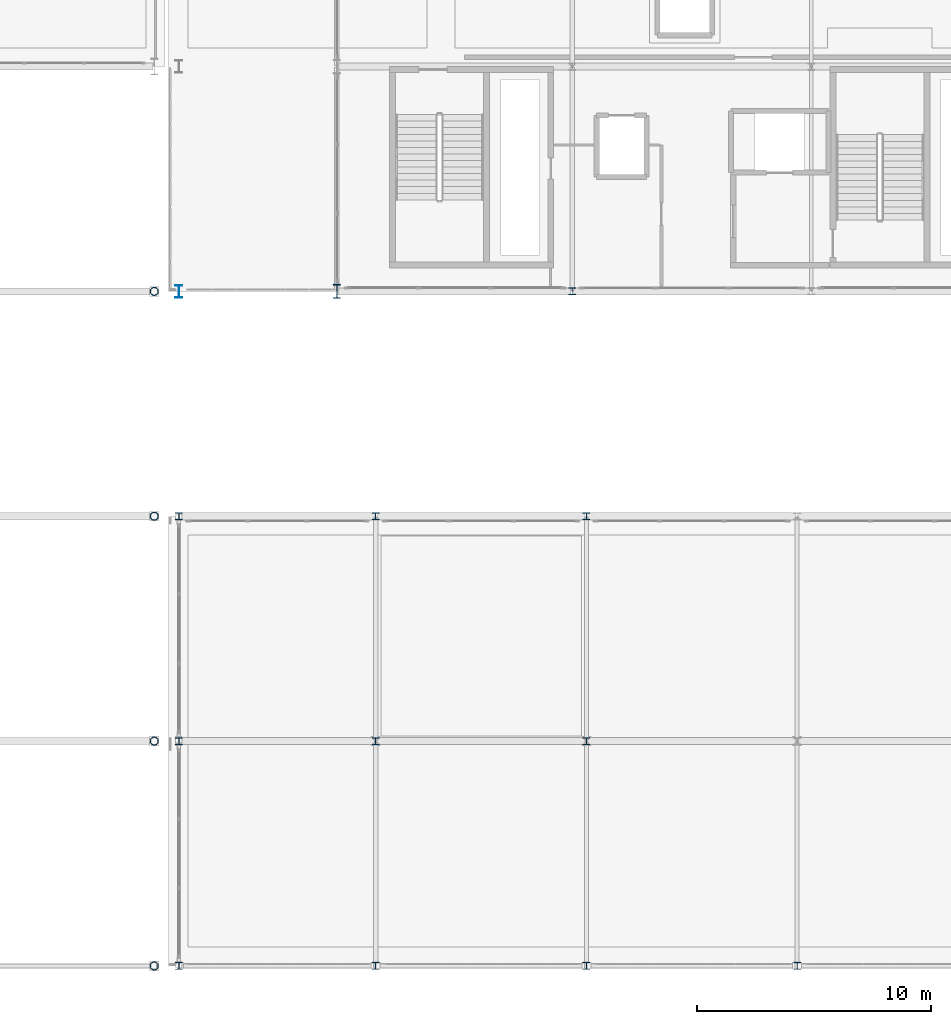
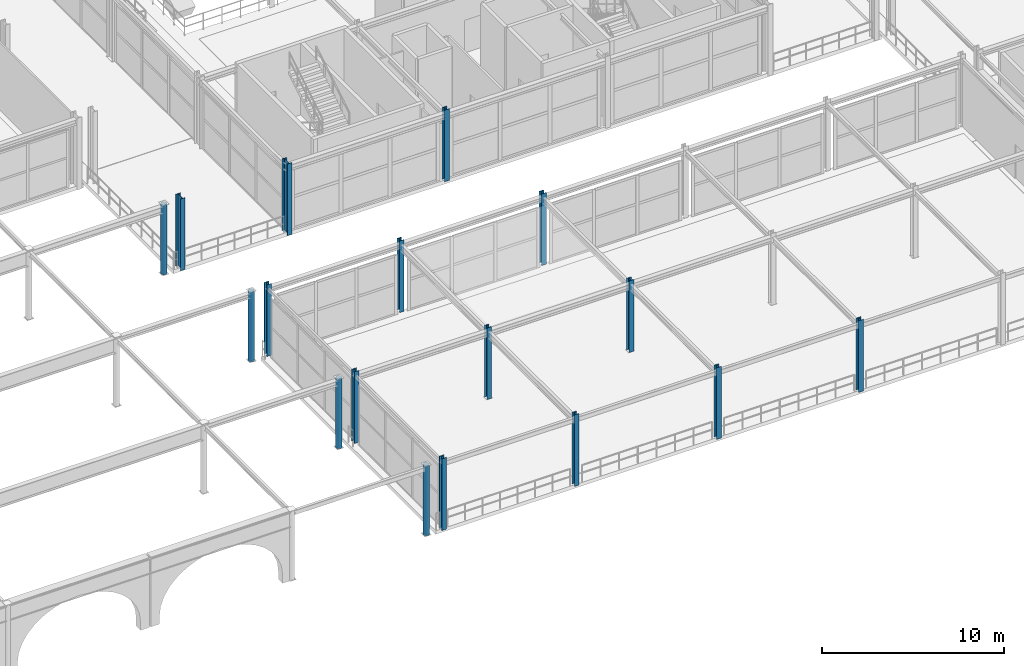
# One storey, part 5 of 125: 17 columns.
"""IFC4 building model written with IfcOpenShell, lengths in metres."""

from ifc_helpers import new_model, si_unit, direction, frame, origin, origin_2d, place, context, subcontext, project, spatial, hollow_circle, i_section, extrude, material, material_profile, profile_set, type_object, element, save


model = new_model("IFC4")

# Units and contexts
model_context = context("Model", 3, precision=1e-05, world=origin(), true_north=direction((0.0, 1.0)))
body_context = subcontext(model_context, "Body", "Model", "MODEL_VIEW")
ifc_project = project(units=[si_unit("LENGTHUNIT", "METRE"), si_unit("AREAUNIT", "SQUARE_METRE"), si_unit("VOLUMEUNIT", "CUBIC_METRE"), si_unit("PLANEANGLEUNIT", "RADIAN"), si_unit("MASSUNIT", "GRAM", prefix="KILO")], contexts=[model_context])

# Site, building, storey
site_placement = place(None, origin())
site = spatial("IfcSite", under=ifc_project, at=site_placement, CompositionType="ELEMENT")
building_placement = place(site_placement, origin())
building = spatial("IfcBuilding", under=site, at=building_placement, Name="Myrtia Square Station", CompositionType="ELEMENT")
storey_placement = place(building_placement, frame((0.0, 0.0, 6.0)))
storey = spatial("IfcBuildingStorey", under=building, at=storey_placement, Name="L01", CompositionType="ELEMENT", Elevation=6.0)

# Columns
ifc_material = material(Name="Steel S355", Category="steel")
ifc_material_profile_1 = material_profile(ifc_material, hollow_circle(Radius=0.177734375, WallThickness=0.02001953125, at=origin_2d()), Name="CHS 355.6x20")
ifc_profile_set_1 = profile_set([ifc_material_profile_1], Name="Steel S355")
column_type_1 = type_object("IfcColumnType", Name="COL-CHS355", PredefinedType="COLUMN", material=ifc_profile_set_1)
for number, where, z_axis, x_axis, name in (
    (1, (71.550048828125, 0.0, 0.0), (0.0, 0.0, 1.0), (1.0, 0.0, 0.0), "Column L01-0201"),
    (2, (71.550048828125, 9.60009765625, 0.0), (0.0, 0.0, 1.0), (1.0, 0.0, 0.0), "Column L01-0204"),
    (3, (71.550048828125, 19.199951171875, 0.0), (0.0, 0.0, 1.0), (1.0, 0.0, 0.0), "Column L01-0207"),
    (4, (71.550048828125, 28.800048828125, 0.0), (0.0, 0.0, 1.0), (1.0, 0.0, 0.0), "Column L01-0210"),
):
    element("IfcColumn", number, at=place(storey_placement, frame(where, z_axis=z_axis, x_axis=x_axis)), inside=storey, type_object=column_type_1, Name=name, PredefinedType="COLUMN", context=body_context, shape_type="SweptSolid", body=[
        extrude(hollow_circle(Radius=0.177734375, WallThickness=0.02001953125, at=origin_2d()), origin(), (0.0, 0.0, 1.0), 4.679931640625),
    ])
ifc_material_profile_2 = material_profile(ifc_material, i_section(OverallWidth=0.300048828125, OverallDepth=0.5400390625, WebThickness=0.012451171875, FlangeThickness=0.02392578125, FilletRadius=0.027099609375, at=origin_2d()), Name="HEA 550")
ifc_profile_set_2 = profile_set([ifc_material_profile_2], Name="Steel S355")
column_type_2 = type_object("IfcColumnType", Name="COL-HEA550", PredefinedType="COLUMN", material=ifc_profile_set_2)
column_1_placement = place(storey_placement, frame((72.60009765625, 28.800048828125, 0.0), z_axis=(0.0, 0.0, 1.0), x_axis=(1.0, 0.0, 0.0)))
element("IfcColumn", 5, at=column_1_placement, inside=storey, type_object=column_type_2, Name="Column L01-0243", PredefinedType="COLUMN", context=body_context, shape_type="SweptSolid", body=[
    extrude(i_section(OverallWidth=0.300048828125, OverallDepth=0.5400390625, WebThickness=0.012451171875, FlangeThickness=0.02392578125, FilletRadius=0.027099609375, at=origin_2d()), origin(), (0.0, 0.0, 1.0), 4.800048828125),
])
ifc_material_profile_3 = material_profile(ifc_material, i_section(OverallWidth=0.300048828125, OverallDepth=0.300048828125, WebThickness=0.010986328125, FlangeThickness=0.01904296875, FilletRadius=0.027099609375, at=origin_2d()), Name="HEB 300")
ifc_profile_set_3 = profile_set([ifc_material_profile_3], Name="Steel S355")
column_type_3 = type_object("IfcColumnType", Name="COL-HEB300", PredefinedType="COLUMN", material=ifc_profile_set_3)
for number, where, z_axis, x_axis, name in (
    (6, (89.39990234375, 28.800048828125, 0.0), (0.0, 0.0, 1.0), (1.0, 0.0, 0.0), "Column L01-0419"),
    (7, (72.60009765625, 0.0, 0.0), (0.0, 0.0, 1.0), (1.0, 0.0, 0.0), "Column L01-0507"),
    (8, (72.60009765625, 9.60009765625, 0.0), (0.0, 0.0, 1.0), (1.0, 0.0, 0.0), "Column L01-0510"),
    (9, (72.60009765625, 19.199951171875, 0.0), (0.0, 0.0, 1.0), (1.0, 0.0, 0.0), "Column L01-0513"),
    (10, (81.0, 0.0, 0.0), (0.0, 0.0, 1.0), (1.0, 0.0, 0.0), "Column L01-0516"),
    (11, (81.0, 9.60009765625, 0.0), (0.0, 0.0, 1.0), (1.0, 0.0, 0.0), "Column L01-0519"),
    (12, (81.0, 19.199951171875, 0.0), (0.0, 0.0, 1.0), (1.0, 0.0, 0.0), "Column L01-0522"),
    (13, (90.0, 0.0, 0.0), (0.0, 0.0, 1.0), (1.0, 0.0, 0.0), "Column L01-0525"),
    (14, (90.0, 9.60009765625, 0.0), (0.0, 0.0, 1.0), (1.0, 0.0, 0.0), "Column L01-0528"),
    (15, (90.0, 19.199951171875, 0.0), (0.0, 0.0, 1.0), (1.0, 0.0, 0.0), "Column L01-0531"),
    (16, (99.0, 0.0, 0.0), (0.0, 0.0, 1.0), (1.0, 0.0, 0.0), "Column L01-0534"),
):
    element("IfcColumn", number, at=place(storey_placement, frame(where, z_axis=z_axis, x_axis=x_axis)), inside=storey, type_object=column_type_3, Name=name, PredefinedType="COLUMN", context=body_context, shape_type="SweptSolid", body=[
        extrude(i_section(OverallWidth=0.300048828125, OverallDepth=0.300048828125, WebThickness=0.010986328125, FlangeThickness=0.01904296875, FilletRadius=0.027099609375, at=origin_2d()), origin(), (0.0, 0.0, 1.0), 4.800048828125),
    ])
ifc_material_profile_4 = material_profile(ifc_material, i_section(OverallWidth=0.300048828125, OverallDepth=0.60009765625, WebThickness=0.015380859375, FlangeThickness=0.030029296875, FilletRadius=0.027099609375, at=origin_2d()), Name="HEB 600")
ifc_profile_set_4 = profile_set([ifc_material_profile_4], Name="Steel S355")
column_type_4 = type_object("IfcColumnType", Name="COL-HEB600", PredefinedType="COLUMN", material=ifc_profile_set_4)
column_2_placement = place(storey_placement, frame((79.35009765625, 28.800048828125, 0.0), z_axis=(0.0, 0.0, 1.0), x_axis=(1.0, 0.0, 0.0)))
element("IfcColumn", 17, at=column_2_placement, inside=storey, type_object=column_type_4, Name="Column L01-0253", PredefinedType="COLUMN", context=body_context, shape_type="SweptSolid", body=[
    extrude(i_section(OverallWidth=0.300048828125, OverallDepth=0.60009765625, WebThickness=0.015380859375, FlangeThickness=0.030029296875, FilletRadius=0.027099609375, at=origin_2d()), origin(), (0.0, 0.0, 1.0), 4.800048828125),
])

save(model, "model.ifc")
